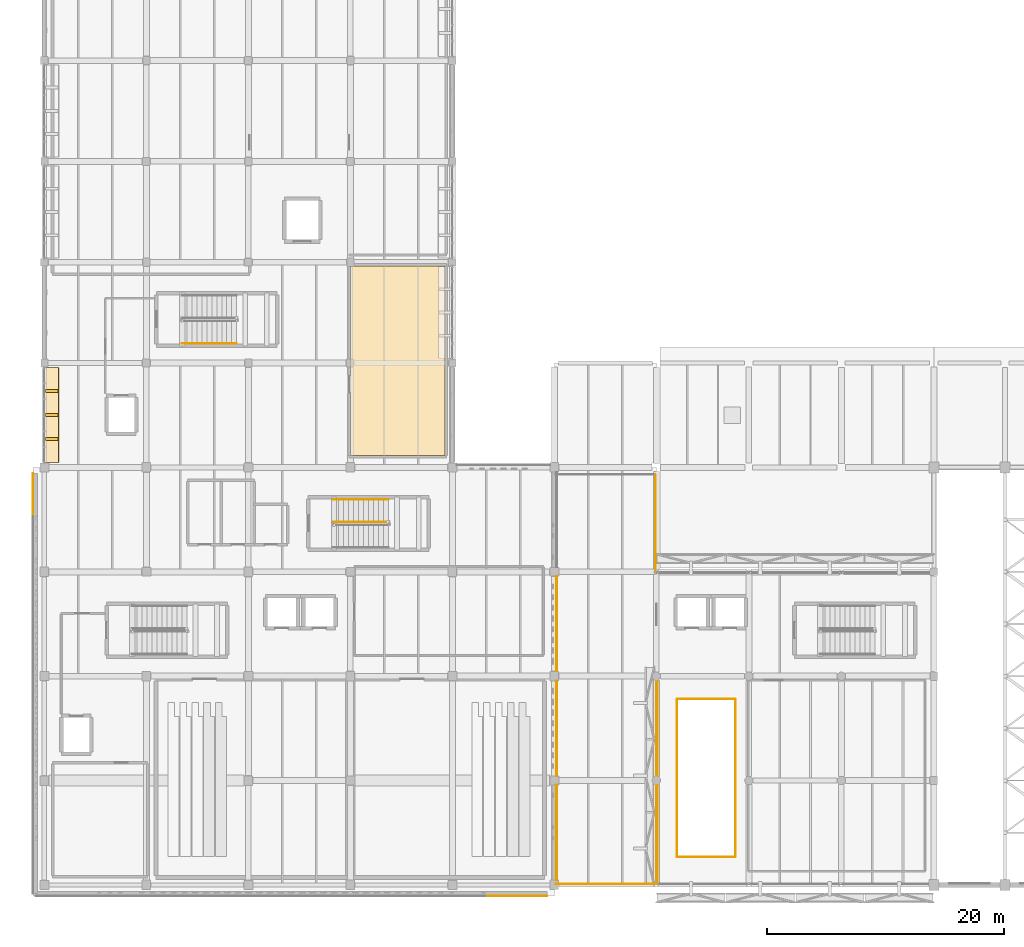
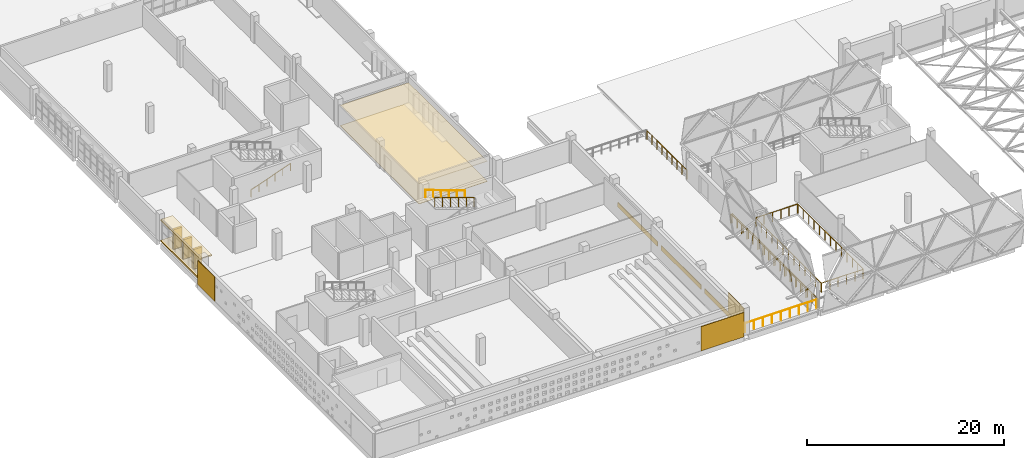
# One storey, part 87 of 93: 11 railings, 10 coverings, 3 shading devices.
"""IFC4 building model written with IfcOpenShell, lengths in metres."""

from ifc_helpers import new_model, si_unit, direction, frame, origin, origin_2d, place, context, subcontext, project, spatial, polyline, rectangle, circle, outline, extrude, material, layer, layer_set, type_object, element, save


model = new_model("IFC4")

# Units and contexts
model_context = context("Model", 3, precision=1e-05, world=origin(), true_north=direction((0.0, 1.0)))
body_context = subcontext(model_context, "Body", "Model", "MODEL_VIEW")
ifc_project = project(units=[si_unit("LENGTHUNIT", "METRE"), si_unit("AREAUNIT", "SQUARE_METRE"), si_unit("VOLUMEUNIT", "CUBIC_METRE"), si_unit("PLANEANGLEUNIT", "RADIAN"), si_unit("MASSUNIT", "GRAM", prefix="KILO")], contexts=[model_context])

# Site, building, storey
site_placement = place(None, origin())
site = spatial("IfcSite", under=ifc_project, at=site_placement, CompositionType="ELEMENT")
building_placement = place(site_placement, origin())
building = spatial("IfcBuilding", under=site, at=building_placement, Name="Varnakota Cinema and Media Centre", CompositionType="ELEMENT")
storey_placement = place(building_placement, frame((0.0, 0.0, 12.0)))
storey = spatial("IfcBuildingStorey", under=building, at=storey_placement, Name="L03", CompositionType="ELEMENT", Elevation=12.0)

# Coverings
ifc_material_1 = material(Name="Autoclaved aerated concrete blockwork", Category="masonry")
ifc_layer_1 = layer(ifc_material_1, 0.06005859375)
ifc_layer_set_1 = layer_set([ifc_layer_1], Name="Autoclaved aerated concrete blockwork")
covering_type_1 = type_object("IfcCoveringType", Name="COV-ACOUST-CEIL-60", PredefinedType="CEILING", material=ifc_layer_set_1)
covering_1_placement = place(storey_placement, frame((0.0, 0.0, 2.5)))
element("IfcCovering", 1, at=covering_1_placement, inside=storey, type_object=covering_type_1, Name="L03 Orchestral Soundtrack and Mixing Studio acoustic baffle ceiling", PredefinedType="CEILING", context=body_context, shape_type="SweptSolid", body=[
    extrude(outline(polyline([(25.800048828125, 36.199951171875), (33.800048828125, 36.199951171875), (33.800048828125, 52.199951171875), (25.800048828125, 52.199951171875), (25.800048828125, 36.199951171875)])), origin(), (0.0, 0.0, 1.0), 0.06005859375),
])
ifc_material_2 = material(Name="Precast concrete M40", Category="concrete")
ifc_layer_2 = layer(ifc_material_2, 0.159912109375)
ifc_layer_set_2 = layer_set([ifc_layer_2], Name="Precast concrete M40")
covering_type_2 = type_object("IfcCoveringType", Name="COV-CHAJJA-160", PredefinedType="CLADDING", material=ifc_layer_set_2)
covering_2_placement = place(storey_placement, frame((0.0, 0.0, 2.574951171875)))
element("IfcCovering", 2, at=covering_2_placement, inside=storey, type_object=covering_type_2, Name="L03 Brutalist chajja overhang V5-W-5", PredefinedType="CLADDING", context=body_context, shape_type="SweptSolid", body=[
    extrude(outline(polyline([(-0.179931640625, 43.610107421875), (-0.179931640625, 35.614990234375), (1.219970703125, 35.614990234375), (1.219970703125, 43.610107421875), (-0.179931640625, 43.610107421875)])), origin(), (0.0, 0.0, 1.0), 0.16015625),
])
covering_3_placement = place(storey_placement, origin())
element("IfcCovering", 3, at=covering_3_placement, inside=storey, type_object=covering_type_2, Name="L03 brise-soleil base plinth V5-W-5", PredefinedType="CLADDING", context=body_context, shape_type="SweptSolid", body=[
    extrude(outline(polyline([(-0.179931640625, 43.610107421875), (-0.179931640625, 35.614990234375), (1.179931640625, 35.614990234375), (1.179931640625, 43.610107421875), (-0.179931640625, 43.610107421875)])), origin(), (0.0, 0.0, 1.0), 0.159912109375),
])
ifc_material_3 = material(Name="Deccan grey granite ashlar", Category="masonry")
ifc_layer_3 = layer(ifc_material_3, 0.044921875)
ifc_layer_set_3 = layer_set([ifc_layer_3], Name="Deccan grey granite ashlar")
covering_type_3 = type_object("IfcCoveringType", Name="COV-STUDIO-FLR-45", PredefinedType="FLOORING", material=ifc_layer_set_3)
covering_4_placement = place(storey_placement, origin())
element("IfcCovering", 4, at=covering_4_placement, inside=storey, type_object=covering_type_3, Name="L03 Orchestral Soundtrack and Mixing Studio isolated studio floor finish", PredefinedType="FLOORING", context=body_context, shape_type="SweptSolid", body=[
    extrude(outline(polyline([(25.800048828125, 36.199951171875), (33.800048828125, 36.199951171875), (33.800048828125, 52.199951171875), (25.800048828125, 52.199951171875), (25.800048828125, 36.199951171875)])), origin(), (0.0, 0.0, 1.0), 0.044921875),
])
ifc_material_4 = material(Name="Pale Tandur limestone cladding", Category="masonry")
ifc_layer_4 = layer(ifc_material_4, 0.06005859375)
ifc_layer_set_4 = layer_set([ifc_layer_4], Name="Pale Tandur limestone cladding")
covering_type_4 = type_object("IfcCoveringType", Name="COV-TANDUR-ASHLAR-60", PredefinedType="CLADDING", material=ifc_layer_set_4)
covering_5_placement = place(storey_placement, frame((39.875, -0.945068359375, 0.330078125), z_axis=(0.0, 0.0, 1.0), x_axis=(-1.0, 0.0, 0.0)))
element("IfcCovering", 5, at=covering_5_placement, inside=storey, type_object=covering_type_4, Name="L03 V4 pale Tandur stone left corner ashlar V4-S", PredefinedType="CLADDING", context=body_context, shape_type="SweptSolid", body=[
    extrude(rectangle(XDim=5.050048828125, YDim=0.06005859375, at=origin_2d()), origin(), (0.0, 0.0, 1.0), 3.02001953125),
])
covering_6_placement = place(storey_placement, frame((-0.945068359375, 32.97509765625, 0.330078125), z_axis=(0.0, 0.0, 1.0), x_axis=(0.0, 1.0, 0.0)))
element("IfcCovering", 6, at=covering_6_placement, inside=storey, type_object=covering_type_4, Name="L03 V4 pale Tandur stone right corner ashlar V4-W", PredefinedType="CLADDING", context=body_context, shape_type="SweptSolid", body=[
    extrude(rectangle(XDim=3.449951171875, YDim=0.06005859375, at=origin_2d()), origin(), (0.0, 0.0, 1.0), 3.02001953125),
])
for number, where, z_axis, x_axis, name in (
    (7, (43.205078125, 22.012451171875, -0.26025390625), (0.0, 0.0, 1.0), (0.0, -1.0, 0.0), "L03 V4 pale Tandur stone spandrel ashlar V4-E-02"),
    (8, (43.205078125, 13.1875, -0.26025390625), (0.0, 0.0, 1.0), (0.0, -1.0, 0.0), "L03 V4 pale Tandur stone spandrel ashlar V4-E-03"),
    (9, (43.205078125, 4.41259765625, -0.26025390625), (0.0, 0.0, 1.0), (0.0, -1.0, 0.0), "L03 V4 pale Tandur stone spandrel ashlar V4-E-04"),
):
    element("IfcCovering", number, at=place(storey_placement, frame(where, z_axis=z_axis, x_axis=x_axis)), inside=storey, type_object=covering_type_4, Name=name, PredefinedType="CLADDING", context=body_context, shape_type="SweptSolid", body=[
        extrude(rectangle(XDim=8.02490234375, YDim=0.06005859375, at=origin_2d()), origin(), (0.0, 0.0, 1.0), 0.590087890625),
    ])
covering_7_placement = place(storey_placement, frame((43.205078125, 2.021240234375, 0.330078125), z_axis=(0.0, 0.0, 1.0), x_axis=(0.0, -1.0, 0.0)))
element("IfcCovering", 10, at=covering_7_placement, inside=storey, type_object=covering_type_4, Name="L03 V4 pale Tandur stone right corner ashlar V4-E-04", PredefinedType="CLADDING", context=body_context, shape_type="SweptSolid", body=[
    extrude(rectangle(XDim=3.242431640625, YDim=0.06005859375, at=origin_2d()), origin(), (0.0, 0.0, 1.0), 2.405029296875),
])

# Railings
ifc_material_5 = material(Name="Anodised golden-bronze steel Grade 350 (E350)", Category="steel")
ifc_layer_5 = layer(ifc_material_5, 0.050048828125)
ifc_layer_set_5 = layer_set([ifc_layer_5], Name="Anodised golden-bronze steel Grade 350 (E350)")
railing_type_1 = type_object("IfcRailingType", Name="RAIL-GUARD-1150", PredefinedType="BALUSTRADE", material=ifc_layer_set_5)
railing_1_placement = place(storey_placement, frame((51.679931640625, 0.110107421875, 0.0)))
element("IfcRailing", 11, at=railing_1_placement, inside=storey, type_object=railing_type_1, Name="L03 guard balustrade GRD-V6GAL-W-L03-1", PredefinedType="BALUSTRADE", context=body_context, shape_type="SweptSolid", body=[
    extrude(circle(Radius=0.02392578125, at=origin_2d()), frame((0.0, 0.0, 1.1259765625), z_axis=(0.0, 1.0, 0.0), x_axis=(-1.0, 0.0, 0.0)), (0.0, 0.0, 1.0), 17.409912109375),
    extrude(circle(Radius=0.02099609375, at=origin_2d()), origin(), (0.0, 0.0, 1.0), 1.101806640625),
    extrude(circle(Radius=0.02099609375, at=origin_2d()), frame((0.0, 1.088134765625, 0.0)), (0.0, 0.0, 1.0), 1.101806640625),
    extrude(circle(Radius=0.02099609375, at=origin_2d()), frame((0.0, 2.17626953125, 0.0)), (0.0, 0.0, 1.0), 1.101806640625),
    extrude(circle(Radius=0.02099609375, at=origin_2d()), frame((0.0, 3.264404296875, 0.0)), (0.0, 0.0, 1.0), 1.101806640625),
    extrude(circle(Radius=0.02099609375, at=origin_2d()), frame((0.0, 4.3525390625, 0.0)), (0.0, 0.0, 1.0), 1.101806640625),
    extrude(circle(Radius=0.02099609375, at=origin_2d()), frame((0.0, 5.440673828125, 0.0)), (0.0, 0.0, 1.0), 1.101806640625),
    extrude(circle(Radius=0.02099609375, at=origin_2d()), frame((0.0, 6.52880859375, 0.0)), (0.0, 0.0, 1.0), 1.101806640625),
    extrude(circle(Radius=0.02099609375, at=origin_2d()), frame((0.0, 7.616943359375, 0.0)), (0.0, 0.0, 1.0), 1.101806640625),
    extrude(circle(Radius=0.02099609375, at=origin_2d()), frame((0.0, 8.705078125, 0.0)), (0.0, 0.0, 1.0), 1.101806640625),
    extrude(circle(Radius=0.02099609375, at=origin_2d()), frame((0.0, 9.79296875, 0.0)), (0.0, 0.0, 1.0), 1.101806640625),
    extrude(circle(Radius=0.02099609375, at=origin_2d()), frame((0.0, 10.881103515625, 0.0)), (0.0, 0.0, 1.0), 1.101806640625),
    extrude(circle(Radius=0.02099609375, at=origin_2d()), frame((0.0, 11.96923828125, 0.0)), (0.0, 0.0, 1.0), 1.101806640625),
    extrude(circle(Radius=0.02099609375, at=origin_2d()), frame((0.0, 13.057373046875, 0.0)), (0.0, 0.0, 1.0), 1.101806640625),
    extrude(circle(Radius=0.02099609375, at=origin_2d()), frame((0.0, 14.1455078125, 0.0)), (0.0, 0.0, 1.0), 1.101806640625),
    extrude(circle(Radius=0.02099609375, at=origin_2d()), frame((0.0, 15.233642578125, 0.0)), (0.0, 0.0, 1.0), 1.101806640625),
    extrude(circle(Radius=0.02099609375, at=origin_2d()), frame((0.0, 16.32177734375, 0.0)), (0.0, 0.0, 1.0), 1.101806640625),
    extrude(circle(Radius=0.02099609375, at=origin_2d()), frame((0.0, 17.409912109375, 0.0)), (0.0, 0.0, 1.0), 1.101806640625),
])
railing_2_placement = place(storey_placement, frame((43.1298828125, 0.080078125, 0.0)))
element("IfcRailing", 12, at=railing_2_placement, inside=storey, type_object=railing_type_1, Name="L03 guard balustrade GRD-L03-TERR-S-1", PredefinedType="BALUSTRADE", context=body_context, shape_type="SweptSolid", body=[
    extrude(circle(Radius=0.02392578125, at=origin_2d()), frame((0.0, 0.0, 1.1259765625), z_axis=(1.0, 0.0, 0.0), x_axis=(0.0, 1.0, 0.0)), (0.0, 0.0, 1.0), 8.360107421875),
    extrude(circle(Radius=0.02099609375, at=origin_2d()), origin(), (0.0, 0.0, 1.0), 1.101806640625),
    extrude(circle(Radius=0.02099609375, at=origin_2d()), frame((1.044921875, 0.0, 0.0)), (0.0, 0.0, 1.0), 1.101806640625),
    extrude(circle(Radius=0.02099609375, at=origin_2d()), frame((2.090087890625, 0.0, 0.0)), (0.0, 0.0, 1.0), 1.101806640625),
    extrude(circle(Radius=0.02099609375, at=origin_2d()), frame((3.135009765625, 0.0, 0.0)), (0.0, 0.0, 1.0), 1.101806640625),
    extrude(circle(Radius=0.02099609375, at=origin_2d()), frame((4.18017578125, 0.0, 0.0)), (0.0, 0.0, 1.0), 1.101806640625),
    extrude(circle(Radius=0.02099609375, at=origin_2d()), frame((5.22509765625, 0.0, 0.0)), (0.0, 0.0, 1.0), 1.101806640625),
    extrude(circle(Radius=0.02099609375, at=origin_2d()), frame((6.27001953125, 0.0, 0.0)), (0.0, 0.0, 1.0), 1.101806640625),
    extrude(circle(Radius=0.02099609375, at=origin_2d()), frame((7.315185546875, 0.0, 0.0)), (0.0, 0.0, 1.0), 1.101806640625),
    extrude(circle(Radius=0.02099609375, at=origin_2d()), frame((8.360107421875, 0.0, 0.0)), (0.0, 0.0, 1.0), 1.101806640625),
])
railing_3_placement = place(storey_placement, frame((51.52001953125, 0.110107421875, 0.0)))
element("IfcRailing", 13, at=railing_3_placement, inside=storey, type_object=railing_type_1, Name="L03 guard balustrade GRD-L03-TERR-S-2", PredefinedType="BALUSTRADE", context=body_context, shape_type="SweptSolid", body=[
    extrude(circle(Radius=0.02392578125, at=origin_2d()), frame((0.0, 0.0, 1.1259765625), z_axis=(0.0, 1.0, 0.0), x_axis=(-1.0, 0.0, 0.0)), (0.0, 0.0, 1.0), 17.409912109375),
    extrude(circle(Radius=0.02099609375, at=origin_2d()), origin(), (0.0, 0.0, 1.0), 1.101806640625),
    extrude(circle(Radius=0.02099609375, at=origin_2d()), frame((0.0, 1.088134765625, 0.0)), (0.0, 0.0, 1.0), 1.101806640625),
    extrude(circle(Radius=0.02099609375, at=origin_2d()), frame((0.0, 2.17626953125, 0.0)), (0.0, 0.0, 1.0), 1.101806640625),
    extrude(circle(Radius=0.02099609375, at=origin_2d()), frame((0.0, 3.264404296875, 0.0)), (0.0, 0.0, 1.0), 1.101806640625),
    extrude(circle(Radius=0.02099609375, at=origin_2d()), frame((0.0, 4.3525390625, 0.0)), (0.0, 0.0, 1.0), 1.101806640625),
    extrude(circle(Radius=0.02099609375, at=origin_2d()), frame((0.0, 5.440673828125, 0.0)), (0.0, 0.0, 1.0), 1.101806640625),
    extrude(circle(Radius=0.02099609375, at=origin_2d()), frame((0.0, 6.52880859375, 0.0)), (0.0, 0.0, 1.0), 1.101806640625),
    extrude(circle(Radius=0.02099609375, at=origin_2d()), frame((0.0, 7.616943359375, 0.0)), (0.0, 0.0, 1.0), 1.101806640625),
    extrude(circle(Radius=0.02099609375, at=origin_2d()), frame((0.0, 8.705078125, 0.0)), (0.0, 0.0, 1.0), 1.101806640625),
    extrude(circle(Radius=0.02099609375, at=origin_2d()), frame((0.0, 9.79296875, 0.0)), (0.0, 0.0, 1.0), 1.101806640625),
    extrude(circle(Radius=0.02099609375, at=origin_2d()), frame((0.0, 10.881103515625, 0.0)), (0.0, 0.0, 1.0), 1.101806640625),
    extrude(circle(Radius=0.02099609375, at=origin_2d()), frame((0.0, 11.96923828125, 0.0)), (0.0, 0.0, 1.0), 1.101806640625),
    extrude(circle(Radius=0.02099609375, at=origin_2d()), frame((0.0, 13.057373046875, 0.0)), (0.0, 0.0, 1.0), 1.101806640625),
    extrude(circle(Radius=0.02099609375, at=origin_2d()), frame((0.0, 14.1455078125, 0.0)), (0.0, 0.0, 1.0), 1.101806640625),
    extrude(circle(Radius=0.02099609375, at=origin_2d()), frame((0.0, 15.233642578125, 0.0)), (0.0, 0.0, 1.0), 1.101806640625),
    extrude(circle(Radius=0.02099609375, at=origin_2d()), frame((0.0, 16.32177734375, 0.0)), (0.0, 0.0, 1.0), 1.101806640625),
    extrude(circle(Radius=0.02099609375, at=origin_2d()), frame((0.0, 17.409912109375, 0.0)), (0.0, 0.0, 1.0), 1.101806640625),
])
railing_4_placement = place(storey_placement, frame((51.52001953125, 26.449951171875, 0.0)))
element("IfcRailing", 14, at=railing_4_placement, inside=storey, type_object=railing_type_1, Name="L03 guard balustrade GRD-L03-TERR-NE-1", PredefinedType="BALUSTRADE", context=body_context, shape_type="SweptSolid", body=[
    extrude(circle(Radius=0.02392578125, at=origin_2d()), frame((0.0, 0.0, 1.1259765625), z_axis=(0.0, 1.0, 0.0), x_axis=(-1.0, 0.0, 0.0)), (0.0, 0.0, 1.0), 8.1201171875),
    extrude(circle(Radius=0.02099609375, at=origin_2d()), origin(), (0.0, 0.0, 1.0), 1.101806640625),
    extrude(circle(Radius=0.02099609375, at=origin_2d()), frame((0.0, 1.01513671875, 0.0)), (0.0, 0.0, 1.0), 1.101806640625),
    extrude(circle(Radius=0.02099609375, at=origin_2d()), frame((0.0, 2.030029296875, 0.0)), (0.0, 0.0, 1.0), 1.101806640625),
    extrude(circle(Radius=0.02099609375, at=origin_2d()), frame((0.0, 3.044921875, 0.0)), (0.0, 0.0, 1.0), 1.101806640625),
    extrude(circle(Radius=0.02099609375, at=origin_2d()), frame((0.0, 4.06005859375, 0.0)), (0.0, 0.0, 1.0), 1.101806640625),
    extrude(circle(Radius=0.02099609375, at=origin_2d()), frame((0.0, 5.0751953125, 0.0)), (0.0, 0.0, 1.0), 1.101806640625),
    extrude(circle(Radius=0.02099609375, at=origin_2d()), frame((0.0, 6.090087890625, 0.0)), (0.0, 0.0, 1.0), 1.101806640625),
    extrude(circle(Radius=0.02099609375, at=origin_2d()), frame((0.0, 7.10498046875, 0.0)), (0.0, 0.0, 1.0), 1.101806640625),
    extrude(circle(Radius=0.02099609375, at=origin_2d()), frame((0.0, 8.1201171875, 0.0)), (0.0, 0.0, 1.0), 1.101806640625),
])
railing_5_placement = place(storey_placement, frame((53.3701171875, 2.340087890625, 0.0)))
element("IfcRailing", 15, at=railing_5_placement, inside=storey, type_object=railing_type_1, Name="L03 guard balustrade GRD-VOID-L03-1-1", PredefinedType="BALUSTRADE", context=body_context, shape_type="SweptSolid", body=[
    extrude(circle(Radius=0.02392578125, at=origin_2d()), frame((0.0, 0.0, 1.1259765625), z_axis=(1.0, 0.0, 0.0), x_axis=(0.0, 1.0, 0.0)), (0.0, 0.0, 1.0), 4.85986328125),
    extrude(circle(Radius=0.02099609375, at=origin_2d()), origin(), (0.0, 0.0, 1.0), 1.101806640625),
    extrude(circle(Radius=0.02099609375, at=origin_2d()), frame((0.971923828125, 0.0, 0.0)), (0.0, 0.0, 1.0), 1.101806640625),
    extrude(circle(Radius=0.02099609375, at=origin_2d()), frame((1.94384765625, 0.0, 0.0)), (0.0, 0.0, 1.0), 1.101806640625),
    extrude(circle(Radius=0.02099609375, at=origin_2d()), frame((2.916015625, 0.0, 0.0)), (0.0, 0.0, 1.0), 1.101806640625),
    extrude(circle(Radius=0.02099609375, at=origin_2d()), frame((3.887939453125, 0.0, 0.0)), (0.0, 0.0, 1.0), 1.101806640625),
    extrude(circle(Radius=0.02099609375, at=origin_2d()), frame((4.85986328125, 0.0, 0.0)), (0.0, 0.0, 1.0), 1.101806640625),
])
railing_6_placement = place(storey_placement, frame((58.260009765625, 2.3701171875, 0.0)))
element("IfcRailing", 16, at=railing_6_placement, inside=storey, type_object=railing_type_1, Name="L03 guard balustrade GRD-VOID-L03-1-2", PredefinedType="BALUSTRADE", context=body_context, shape_type="SweptSolid", body=[
    extrude(circle(Radius=0.02392578125, at=origin_2d()), frame((0.0, 0.0, 1.1259765625), z_axis=(0.0, 1.0, 0.0), x_axis=(-1.0, 0.0, 0.0)), (0.0, 0.0, 1.0), 13.259765625),
    extrude(circle(Radius=0.02099609375, at=origin_2d()), origin(), (0.0, 0.0, 1.0), 1.101806640625),
    extrude(circle(Radius=0.02099609375, at=origin_2d()), frame((0.0, 1.10498046875, 0.0)), (0.0, 0.0, 1.0), 1.101806640625),
    extrude(circle(Radius=0.02099609375, at=origin_2d()), frame((0.0, 2.2099609375, 0.0)), (0.0, 0.0, 1.0), 1.101806640625),
    extrude(circle(Radius=0.02099609375, at=origin_2d()), frame((0.0, 3.31494140625, 0.0)), (0.0, 0.0, 1.0), 1.101806640625),
    extrude(circle(Radius=0.02099609375, at=origin_2d()), frame((0.0, 4.419921875, 0.0)), (0.0, 0.0, 1.0), 1.101806640625),
    extrude(circle(Radius=0.02099609375, at=origin_2d()), frame((0.0, 5.52490234375, 0.0)), (0.0, 0.0, 1.0), 1.101806640625),
    extrude(circle(Radius=0.02099609375, at=origin_2d()), frame((0.0, 6.6298828125, 0.0)), (0.0, 0.0, 1.0), 1.101806640625),
    extrude(circle(Radius=0.02099609375, at=origin_2d()), frame((0.0, 7.73486328125, 0.0)), (0.0, 0.0, 1.0), 1.101806640625),
    extrude(circle(Radius=0.02099609375, at=origin_2d()), frame((0.0, 8.83984375, 0.0)), (0.0, 0.0, 1.0), 1.101806640625),
    extrude(circle(Radius=0.02099609375, at=origin_2d()), frame((0.0, 9.94482421875, 0.0)), (0.0, 0.0, 1.0), 1.101806640625),
    extrude(circle(Radius=0.02099609375, at=origin_2d()), frame((0.0, 11.0498046875, 0.0)), (0.0, 0.0, 1.0), 1.101806640625),
    extrude(circle(Radius=0.02099609375, at=origin_2d()), frame((0.0, 12.15478515625, 0.0)), (0.0, 0.0, 1.0), 1.101806640625),
    extrude(circle(Radius=0.02099609375, at=origin_2d()), frame((0.0, 13.259765625, 0.0)), (0.0, 0.0, 1.0), 1.101806640625),
])
railing_7_placement = place(storey_placement, frame((58.22998046875, 15.659912109375, 0.0)))
element("IfcRailing", 17, at=railing_7_placement, inside=storey, type_object=railing_type_1, Name="L03 guard balustrade GRD-VOID-L03-1-3", PredefinedType="BALUSTRADE", context=body_context, shape_type="SweptSolid", body=[
    extrude(circle(Radius=0.02392578125, at=origin_2d()), frame((0.0, 0.0, 1.1259765625), z_axis=(-1.0, 0.0, 0.0), x_axis=(0.0, -1.0, 0.0)), (0.0, 0.0, 1.0), 4.85986328125),
    extrude(circle(Radius=0.02099609375, at=origin_2d()), origin(), (0.0, 0.0, 1.0), 1.101806640625),
    extrude(circle(Radius=0.02099609375, at=origin_2d()), frame((-0.971923828125, 0.0, 0.0)), (0.0, 0.0, 1.0), 1.101806640625),
    extrude(circle(Radius=0.02099609375, at=origin_2d()), frame((-1.94384765625, 0.0, 0.0)), (0.0, 0.0, 1.0), 1.101806640625),
    extrude(circle(Radius=0.02099609375, at=origin_2d()), frame((-2.916015625, 0.0, 0.0)), (0.0, 0.0, 1.0), 1.101806640625),
    extrude(circle(Radius=0.02099609375, at=origin_2d()), frame((-3.887939453125, 0.0, 0.0)), (0.0, 0.0, 1.0), 1.101806640625),
    extrude(circle(Radius=0.02099609375, at=origin_2d()), frame((-4.85986328125, 0.0, 0.0)), (0.0, 0.0, 1.0), 1.101806640625),
])
railing_8_placement = place(storey_placement, frame((53.340087890625, 15.6298828125, 0.0)))
element("IfcRailing", 18, at=railing_8_placement, inside=storey, type_object=railing_type_1, Name="L03 guard balustrade GRD-VOID-L03-1-4", PredefinedType="BALUSTRADE", context=body_context, shape_type="SweptSolid", body=[
    extrude(circle(Radius=0.02392578125, at=origin_2d()), frame((0.0, 0.0, 1.1259765625), z_axis=(0.0, -1.0, 0.0), x_axis=(1.0, 0.0, 0.0)), (0.0, 0.0, 1.0), 13.259765625),
    extrude(circle(Radius=0.02099609375, at=origin_2d()), origin(), (0.0, 0.0, 1.0), 1.101806640625),
    extrude(circle(Radius=0.02099609375, at=origin_2d()), frame((0.0, -1.10498046875, 0.0)), (0.0, 0.0, 1.0), 1.101806640625),
    extrude(circle(Radius=0.02099609375, at=origin_2d()), frame((0.0, -2.2099609375, 0.0)), (0.0, 0.0, 1.0), 1.101806640625),
    extrude(circle(Radius=0.02099609375, at=origin_2d()), frame((0.0, -3.31494140625, 0.0)), (0.0, 0.0, 1.0), 1.101806640625),
    extrude(circle(Radius=0.02099609375, at=origin_2d()), frame((0.0, -4.419921875, 0.0)), (0.0, 0.0, 1.0), 1.101806640625),
    extrude(circle(Radius=0.02099609375, at=origin_2d()), frame((0.0, -5.52490234375, 0.0)), (0.0, 0.0, 1.0), 1.101806640625),
    extrude(circle(Radius=0.02099609375, at=origin_2d()), frame((0.0, -6.6298828125, 0.0)), (0.0, 0.0, 1.0), 1.101806640625),
    extrude(circle(Radius=0.02099609375, at=origin_2d()), frame((0.0, -7.73486328125, 0.0)), (0.0, 0.0, 1.0), 1.101806640625),
    extrude(circle(Radius=0.02099609375, at=origin_2d()), frame((0.0, -8.83984375, 0.0)), (0.0, 0.0, 1.0), 1.101806640625),
    extrude(circle(Radius=0.02099609375, at=origin_2d()), frame((0.0, -9.94482421875, 0.0)), (0.0, 0.0, 1.0), 1.101806640625),
    extrude(circle(Radius=0.02099609375, at=origin_2d()), frame((0.0, -11.0498046875, 0.0)), (0.0, 0.0, 1.0), 1.101806640625),
    extrude(circle(Radius=0.02099609375, at=origin_2d()), frame((0.0, -12.15478515625, 0.0)), (0.0, 0.0, 1.0), 1.101806640625),
    extrude(circle(Radius=0.02099609375, at=origin_2d()), frame((0.0, -13.259765625, 0.0)), (0.0, 0.0, 1.0), 1.101806640625),
])
ifc_material_6 = material(Name="Structural steel Grade 350 (E350)", Category="steel")
ifc_layer_6 = layer(ifc_material_6, 0.050048828125)
ifc_layer_set_6 = layer_set([ifc_layer_6], Name="Structural steel Grade 350 (E350)")
railing_type_2 = type_object("IfcRailingType", Name="RAIL-STAIR-GUARD-1150", PredefinedType="GUARDRAIL", material=ifc_layer_set_6)
railing_9_placement = place(storey_placement, frame((29.02001953125, 30.60009765625, 1.949951171875)))
element("IfcRailing", 19, at=railing_9_placement, inside=storey, type_object=railing_type_2, Name="L03 ST-02 stair guard 3", PredefinedType="GUARDRAIL", context=body_context, shape_type="SweptSolid", body=[
    extrude(circle(Radius=0.02392578125, at=origin_2d()), frame((0.0, 0.0, 1.1259765625), z_axis=(-0.941735156102, 0.0, 0.336355311778), x_axis=(0.0, -1.0, 0.0)), (0.0, 0.0, 1.0), 4.906005859375),
    extrude(circle(Radius=0.02099609375, at=origin_2d()), origin(), (0.0, 0.0, 1.0), 1.101806640625),
    extrude(circle(Radius=0.02099609375, at=origin_2d()), frame((-0.924072265625, 0.0, 0.330078125)), (0.0, 0.0, 1.0), 1.101806640625),
    extrude(circle(Radius=0.02099609375, at=origin_2d()), frame((-1.84814453125, 0.0, 0.66015625)), (0.0, 0.0, 1.0), 1.101806640625),
    extrude(circle(Radius=0.02099609375, at=origin_2d()), frame((-2.77197265625, 0.0, 0.989990234375)), (0.0, 0.0, 1.0), 1.101806640625),
    extrude(circle(Radius=0.02099609375, at=origin_2d()), frame((-3.696044921875, 0.0, 1.320068359375)), (0.0, 0.0, 1.0), 1.101806640625),
    extrude(circle(Radius=0.02099609375, at=origin_2d()), frame((-4.6201171875, 0.0, 1.650146484375)), (0.0, 0.0, 1.0), 1.101806640625),
])
ifc_material_7 = material(Name="Structural steel Grade 350 (E350)", Category="steel")
ifc_layer_7 = layer(ifc_material_7, 0.048095703125)
ifc_layer_set_7 = layer_set([ifc_layer_7], Name="Structural steel Grade 350 (E350)")
railing_type_3 = type_object("IfcRailingType", Name="RAIL-STAIR-HAND-900", PredefinedType="HANDRAIL", material=ifc_layer_set_7)
railing_10_placement = place(storey_placement, frame((29.02001953125, 32.5, 1.949951171875)))
element("IfcRailing", 20, at=railing_10_placement, inside=storey, type_object=railing_type_3, Name="L03 ST-02 stair handrail 2", PredefinedType="HANDRAIL", context=body_context, shape_type="SweptSolid", body=[
    extrude(circle(Radius=0.02392578125, at=origin_2d()), frame((0.0, 0.0, 0.8759765625), z_axis=(-0.941735156102, 0.0, 0.336355311778), x_axis=(0.0, -1.0, 0.0)), (0.0, 0.0, 1.0), 4.906005859375),
    extrude(circle(Radius=0.02099609375, at=origin_2d()), origin(), (0.0, 0.0, 1.0), 0.851806640625),
    extrude(circle(Radius=0.02099609375, at=origin_2d()), frame((-0.924072265625, 0.0, 0.330078125)), (0.0, 0.0, 1.0), 0.851806640625),
    extrude(circle(Radius=0.02099609375, at=origin_2d()), frame((-1.84814453125, 0.0, 0.66015625)), (0.0, 0.0, 1.0), 0.851806640625),
    extrude(circle(Radius=0.02099609375, at=origin_2d()), frame((-2.77197265625, 0.0, 0.989990234375)), (0.0, 0.0, 1.0), 0.851806640625),
    extrude(circle(Radius=0.02099609375, at=origin_2d()), frame((-3.696044921875, 0.0, 1.320068359375)), (0.0, 0.0, 1.0), 0.851806640625),
    extrude(circle(Radius=0.02099609375, at=origin_2d()), frame((-4.6201171875, 0.0, 1.650146484375)), (0.0, 0.0, 1.0), 0.851806640625),
])
railing_11_placement = place(storey_placement, frame((11.60009765625, 45.64990234375, 0.14990234375)))
element("IfcRailing", 21, at=railing_11_placement, inside=storey, type_object=railing_type_3, Name="L03 ST-03 stair handrail 1", PredefinedType="HANDRAIL", context=body_context, shape_type="SweptSolid", body=[
    extrude(circle(Radius=0.02392578125, at=origin_2d()), frame((0.0, 0.0, 0.8759765625), z_axis=(0.941729525654, 0.0, 0.336371075617), x_axis=(0.0, 1.0, 0.0)), (0.0, 0.0, 1.0), 4.90576171875),
    extrude(circle(Radius=0.02099609375, at=origin_2d()), origin(), (0.0, 0.0, 1.0), 0.851806640625),
    extrude(circle(Radius=0.02099609375, at=origin_2d()), frame((0.924072265625, 0.0, 0.330078125)), (0.0, 0.0, 1.0), 0.851806640625),
    extrude(circle(Radius=0.02099609375, at=origin_2d()), frame((1.847900390625, 0.0, 0.66015625)), (0.0, 0.0, 1.0), 0.851806640625),
    extrude(circle(Radius=0.02099609375, at=origin_2d()), frame((2.77197265625, 0.0, 0.989990234375)), (0.0, 0.0, 1.0), 0.851806640625),
    extrude(circle(Radius=0.02099609375, at=origin_2d()), frame((3.69580078125, 0.0, 1.320068359375)), (0.0, 0.0, 1.0), 0.851806640625),
    extrude(circle(Radius=0.02099609375, at=origin_2d()), frame((4.619873046875, 0.0, 1.650146484375)), (0.0, 0.0, 1.0), 0.851806640625),
])

# Shading devices
ifc_material_8 = material(Name="Precast concrete M40", Category="concrete")
shading_device_type = type_object("IfcShadingDeviceType", Name="SHD-BRISE-FIN-240", PredefinedType="JALOUSIE", material=ifc_material_8)
for number, where, z_axis, x_axis, name in (
    (22, (0.6298828125, 41.63134765625, 0.14990234375), (0.0, 0.0, 1.0), (0.0, -1.0, 0.0), "L03 vertical concrete brise-soleil fin V5-W-5.1"),
    (23, (0.6298828125, 39.612548828125, 0.14990234375), (0.0, 0.0, 1.0), (0.0, -1.0, 0.0), "L03 vertical concrete brise-soleil fin V5-W-5.2"),
    (24, (0.6298828125, 37.59375, 0.14990234375), (0.0, 0.0, 1.0), (0.0, -1.0, 0.0), "L03 vertical concrete brise-soleil fin V5-W-5.3"),
):
    element("IfcShadingDevice", number, at=place(storey_placement, frame(where, z_axis=z_axis, x_axis=x_axis)), inside=storey, type_object=shading_device_type, Name=name, PredefinedType="JALOUSIE", context=body_context, shape_type="SweptSolid", body=[
        extrude(rectangle(XDim=0.239990234375, YDim=1.02001953125, at=origin_2d()), origin(), (0.0, 0.0, 1.0), 2.43505859375),
    ])

save(model, "model.ifc")
